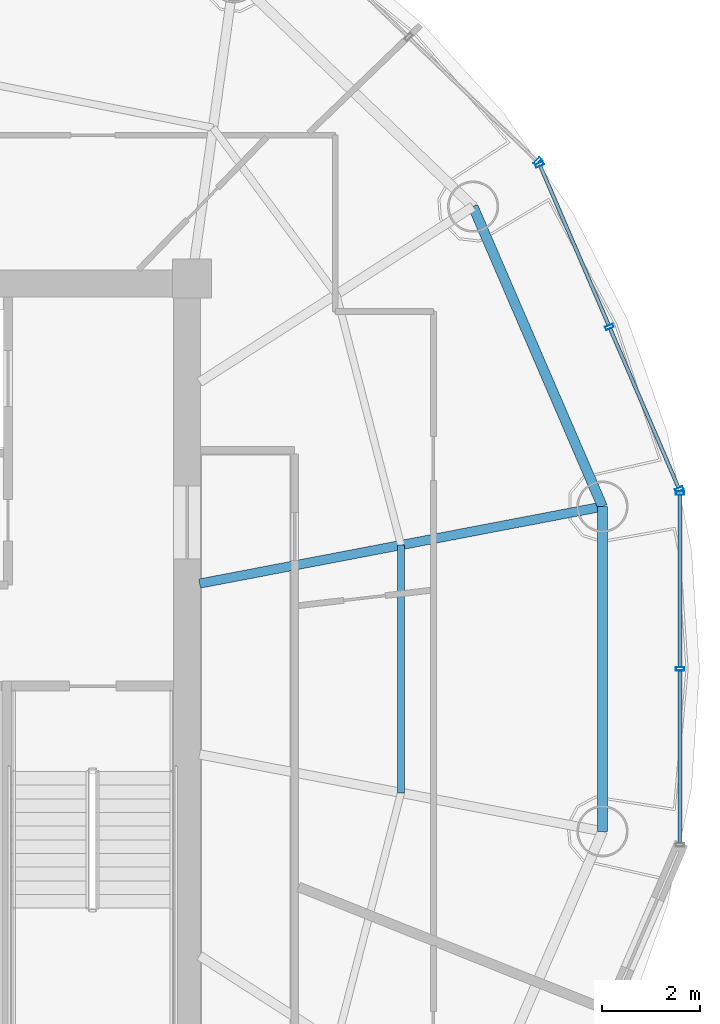
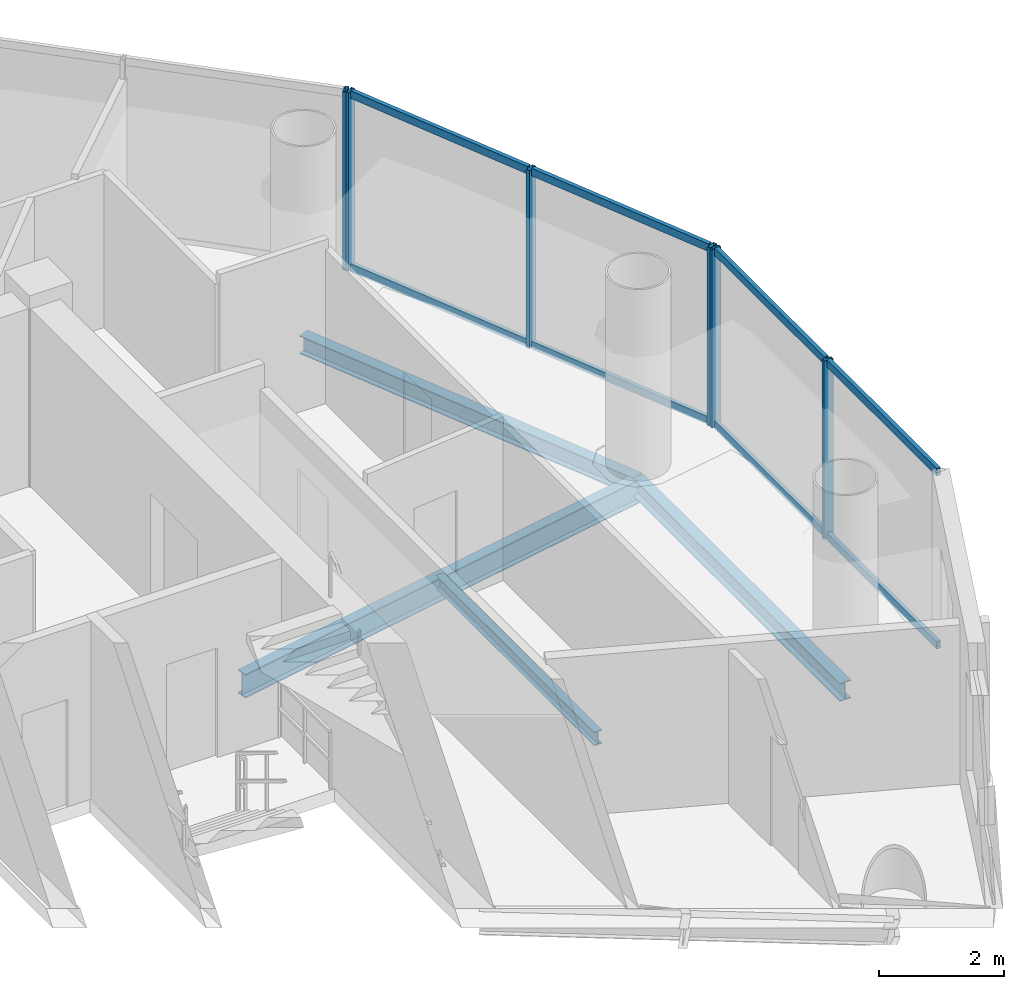
# One storey, part 12 of 24: 14 members, 4 beams, 3 elements without a shape of their own.
"""IFC4 building model written with IfcOpenShell, lengths in metres."""

from ifc_helpers import new_model, si_unit, direction, frame, origin, origin_2d, place, context, subcontext, project, spatial, hollow_rectangle, i_section, extrude, source, transform, mapped, material, material_profile, profile_set, type_object, element, aggregate, save


model = new_model("IFC4")

# Units and contexts
model_context = context("Model", 3, precision=1e-05, world=origin(), true_north=direction((-0.2419218956, 0.970295726276)))
body_context = subcontext(model_context, "Body", "Model", "MODEL_VIEW")
ifc_project = project(units=[si_unit("LENGTHUNIT", "METRE"), si_unit("AREAUNIT", "SQUARE_METRE"), si_unit("VOLUMEUNIT", "CUBIC_METRE"), si_unit("PLANEANGLEUNIT", "RADIAN"), si_unit("MASSUNIT", "GRAM", prefix="KILO")], contexts=[model_context])

# Site, building, storey
site_placement = place(None, origin())
site = spatial("IfcSite", under=ifc_project, at=site_placement, CompositionType="ELEMENT")
building_placement = place(site_placement, origin())
building = spatial("IfcBuilding", under=site, at=building_placement, Name="Cobrevalo Terracotta Tower", CompositionType="ELEMENT")
storey_placement = place(building_placement, frame((0.0, 0.0, 278.199951171875)))
storey = spatial("IfcBuildingStorey", under=building, at=storey_placement, Name="L73", CompositionType="ELEMENT", Elevation=278.199951171875)

# Beams
ifc_material_1 = material(Name="Steel S355", Category="steel")
ifc_material_profile_1 = material_profile(ifc_material_1, i_section(OverallWidth=0.19091796875, OverallDepth=0.4599609375, WebThickness=0.010009765625, FlangeThickness=0.01611328125, at=origin_2d()), Name="W 460x82")
ifc_profile_set_1 = profile_set([ifc_material_profile_1], Name="Steel S355")
beam_type_1 = type_object("IfcBeamType", Name="Structural Beam W 460x82 (Steel S355)", PredefinedType="BEAM", material=ifc_profile_set_1)
beam_1_placement = place(storey_placement, frame((55.408935546875, 30.126220703125, -0.489990234375), z_axis=(-0.982234917636, -0.187655446433, 0.0), x_axis=(0.187655446433, -0.982234917636, 0.0)))
element("IfcBeam", 1, at=beam_1_placement, inside=storey, type_object=beam_type_1, Name="L73 radial floor girder 01", PredefinedType="BEAM", context=body_context, shape_type="SweptSolid", body=[
    extrude(i_section(OverallWidth=0.19091796875, OverallDepth=0.4599609375, WebThickness=0.010009765625, FlangeThickness=0.01611328125, at=origin_2d()), origin(), (0.0, 0.0, 1.0), 8.403076171875),
])
ifc_material_profile_2 = material_profile(ifc_material_1, i_section(OverallWidth=0.14794921875, OverallDepth=0.26611328125, WebThickness=0.007568359375, FlangeThickness=0.012939453125, at=origin_2d()), Name="W 250x44.8")
ifc_profile_set_2 = profile_set([ifc_material_profile_2], Name="Steel S355")
beam_type_2 = type_object("IfcBeamType", Name="Structural Joist W 250x44.8 (Steel S355)", PredefinedType="JOIST", material=ifc_profile_set_2)
beam_2_placement = place(storey_placement, frame((51.281982421875, 24.26220703125, -0.39306640625), z_axis=(0.0, 1.0, 0.0), x_axis=(-1.0, 0.0, 0.0)))
element("IfcBeam", 2, at=beam_2_placement, inside=storey, type_object=beam_type_2, Name="L73 circumferential secondary floor joist 16", PredefinedType="JOIST", context=body_context, shape_type="SweptSolid", body=[
    extrude(i_section(OverallWidth=0.14794921875, OverallDepth=0.26611328125, WebThickness=0.007568359375, FlangeThickness=0.012939453125, at=origin_2d()), origin(), (0.0, 0.0, 1.0), 5.075439453125),
])
ifc_material_profile_3 = material_profile(ifc_material_1, i_section(OverallWidth=0.205078125, OverallDepth=0.35400390625, WebThickness=0.009521484375, FlangeThickness=0.016845703125, at=origin_2d()), Name="W 360x79")
ifc_profile_set_3 = profile_set([ifc_material_profile_3], Name="Steel S355")
beam_type_3 = type_object("IfcBeamType", Name="Structural Spandrel W 360x79 (Steel S355)", PredefinedType="SPANDREL", material=ifc_profile_set_3)
beam_3_placement = place(storey_placement, frame((55.408935546875, 30.126220703125, -0.43701171875), z_axis=(-0.395974127655, 0.918261667624, 0.0), x_axis=(-0.918261667624, -0.395974127655, 0.0)))
element("IfcBeam", 3, at=beam_3_placement, inside=storey, type_object=beam_type_3, Name="L73 perimeter ring spandrel 01", PredefinedType="SPANDREL", context=body_context, shape_type="SweptSolid", body=[
    extrude(i_section(OverallWidth=0.205078125, OverallDepth=0.35400390625, WebThickness=0.009521484375, FlangeThickness=0.016845703125, at=origin_2d()), origin(), (0.0, 0.0, 1.0), 6.693359375),
])
beam_4_placement = place(storey_placement, frame((55.408935546875, 23.4736328125, -0.43701171875), z_axis=(0.0, 1.0, 0.0), x_axis=(-1.0, 0.0, 0.0)))
element("IfcBeam", 4, at=beam_4_placement, inside=storey, type_object=beam_type_3, Name="L73 perimeter ring spandrel 16", PredefinedType="SPANDREL", context=body_context, shape_type="SweptSolid", body=[
    extrude(i_section(OverallWidth=0.205078125, OverallDepth=0.35400390625, WebThickness=0.009521484375, FlangeThickness=0.016845703125, at=origin_2d()), origin(), (0.0, 0.0, 1.0), 6.652587890625),
])

# Curtain wall, members
ifc_material_2 = material(Name="Anodized aluminium", Category="aluminium")
curtain_wall_type = type_object("IfcCurtainWallType", Name="Upper-tower triple-glazed penthouse curtain wall CW-U3", PredefinedType="NOTDEFINED", material=ifc_material_2)
curtain_wall_1_placement = place(storey_placement, origin())
curtain_wall_1 = element("IfcCurtainWall", 5, at=curtain_wall_1_placement, inside=storey, type_object=curtain_wall_type, Name="L73 curtain wall CW-L73-S01", PredefinedType="NOTDEFINED")
ifc_material_profile_4 = material_profile(ifc_material_2, hollow_rectangle(XDim=0.070068359375, YDim=0.169921875, WallThickness=0.00439453125, at=origin_2d()), Name="CWM 70x170")
ifc_profile_set_4 = profile_set([ifc_material_profile_4], Name="Anodized aluminium")
member_type_1 = type_object("IfcMemberType", Name="Upper tower unitised mullion 70x170", PredefinedType="MULLION", material=ifc_profile_set_4)
shared_shape_1 = source(origin(), body_context, "Body", "SweptSolid", [
    extrude(hollow_rectangle(XDim=0.070068359375, YDim=0.169921875, WallThickness=0.00439453125, at=origin_2d()), origin(), (0.0, 0.0, 1.0), 3.489990234375),
])
member_1_placement = place(storey_placement, frame((56.98193359375, 30.47900390625, 0.0), z_axis=(0.0, 0.0, 1.0), x_axis=(-0.39482403454, 0.91875675875, 0.0)))
member_1 = element("IfcMember", 6, at=member_1_placement, type_object=member_type_1, Name="CW-L73-S01 vertical mullion 01", PredefinedType="MULLION", context=body_context, shape_type="MappedRepresentation", body=[
    mapped(shared_shape_1, transform((0.0, 0.0, 0.0), scale=1.0)),
])
member_2_placement = place(storey_placement, frame((55.5517578125, 33.807373046875, 0.0), z_axis=(0.0, 0.0, 1.0), x_axis=(-0.39482403454, 0.91875675875, 0.0)))
member_2 = element("IfcMember", 7, at=member_2_placement, type_object=member_type_1, Name="CW-L73-S01 vertical mullion 02", PredefinedType="MULLION", context=body_context, shape_type="MappedRepresentation", body=[
    mapped(shared_shape_1, transform((0.0, 0.0, 0.0), scale=1.0)),
])
member_3_placement = place(storey_placement, frame((54.121337890625, 37.1357421875, 0.0), z_axis=(0.0, 0.0, 1.0), x_axis=(-0.39482403454, 0.91875675875, 0.0)))
member_3 = element("IfcMember", 8, at=member_3_placement, type_object=member_type_1, Name="CW-L73-S01 vertical mullion 03", PredefinedType="MULLION", context=body_context, shape_type="MappedRepresentation", body=[
    mapped(shared_shape_1, transform((0.0, 0.0, 0.0), scale=1.0)),
])

# Curtain wall, member
curtain_wall_2_placement = place(storey_placement, origin())
curtain_wall_2 = element("IfcCurtainWall", 9, at=curtain_wall_2_placement, inside=storey, type_object=curtain_wall_type, Name="L73 curtain wall CW-L73-S02", PredefinedType="NOTDEFINED")
member_4_placement = place(storey_placement, frame((54.07666015625, 37.2001953125, 0.0), z_axis=(0.0, 0.0, 1.0), x_axis=(-0.71999418085, 0.69398010025, 0.0)))
member_4 = element("IfcMember", 10, at=member_4_placement, type_object=member_type_1, Name="CW-L73-S02 vertical mullion 01", PredefinedType="MULLION", context=body_context, shape_type="MappedRepresentation", body=[
    mapped(shared_shape_1, transform((0.0, 0.0, 0.0), scale=1.0)),
])
aggregate(curtain_wall_2, [member_4])

# Curtain wall, members
curtain_wall_3_placement = place(storey_placement, origin())
curtain_wall_3 = element("IfcCurtainWall", 11, at=curtain_wall_3_placement, inside=storey, type_object=curtain_wall_type, Name="L73 curtain wall CW-L73-S16", PredefinedType="NOTDEFINED")
member_5_placement = place(storey_placement, frame((56.997802734375, 26.800048828125, 0.0), z_axis=(0.0, 0.0, 1.0), x_axis=(0.0, 1.0, 0.0)))
member_5 = element("IfcMember", 12, at=member_5_placement, type_object=member_type_1, Name="CW-L73-S16 vertical mullion 02", PredefinedType="MULLION", context=body_context, shape_type="MappedRepresentation", body=[
    mapped(shared_shape_1, transform((0.0, 0.0, 0.0), scale=1.0)),
])
member_6_placement = place(storey_placement, frame((56.997802734375, 30.40234375, 0.0), z_axis=(0.0, 0.0, 1.0), x_axis=(0.0, 1.0, 0.0)))
member_6 = element("IfcMember", 13, at=member_6_placement, type_object=member_type_1, Name="CW-L73-S16 vertical mullion 03", PredefinedType="MULLION", context=body_context, shape_type="MappedRepresentation", body=[
    mapped(shared_shape_1, transform((0.0, 0.0, 0.0), scale=1.0)),
])

# Member
ifc_material_profile_5 = material_profile(ifc_material_2, hollow_rectangle(XDim=0.074951171875, YDim=0.14990234375, WallThickness=0.00439453125, at=origin_2d()), Name="CWT 75x150")
ifc_profile_set_5 = profile_set([ifc_material_profile_5], Name="Anodized aluminium")
member_type_2 = type_object("IfcMemberType", Name="Tower unitised aluminium transom 75x150", PredefinedType="USERDEFINED", material=ifc_profile_set_5)
shared_shape_2 = source(origin(), body_context, "Body", "SweptSolid", [
    extrude(hollow_rectangle(XDim=0.074951171875, YDim=0.14990234375, WallThickness=0.00439453125, at=origin_2d()), origin(), (0.0, 0.0, 1.0), 3.54248046875),
])
member_7_placement = place(storey_placement, frame((55.535888671875, 33.84423828125, 0.050048828125), z_axis=(-0.394834055841, 0.918752452159, 0.0), x_axis=(-0.918752452159, -0.394834055841, 0.0)))
member_7 = element("IfcMember", 14, at=member_7_placement, type_object=member_type_2, Name="CW-L73-S01 transom B02-T1", ObjectType="TRANSOM", PredefinedType="USERDEFINED", context=body_context, shape_type="MappedRepresentation", body=[
    mapped(shared_shape_2, transform((0.0, 0.0, 0.0), scale=1.0)),
])

member_8_placement = place(storey_placement, frame((55.535888671875, 33.84423828125, 3.43994140625), z_axis=(-0.394834055841, 0.918752452159, 0.0), x_axis=(-0.918752452159, -0.394834055841, 0.0)))
member_8 = element("IfcMember", 15, at=member_8_placement, type_object=member_type_2, Name="CW-L73-S01 transom B02-T2", ObjectType="TRANSOM", PredefinedType="USERDEFINED", context=body_context, shape_type="MappedRepresentation", body=[
    mapped(shared_shape_2, transform((0.0, 0.0, 0.0), scale=1.0)),
])

shared_shape_3 = source(origin(), body_context, "Body", "SweptSolid", [
    extrude(hollow_rectangle(XDim=0.074951171875, YDim=0.14990234375, WallThickness=0.00439453125, at=origin_2d()), origin(), (0.0, 0.0, 1.0), 3.542724609375),
])
member_9_placement = place(storey_placement, frame((56.96630859375, 30.515869140625, 0.050048828125), z_axis=(-0.394867226589, 0.918738196314, 0.0), x_axis=(-0.918738196314, -0.394867226589, 0.0)))
member_9 = element("IfcMember", 16, at=member_9_placement, type_object=member_type_2, Name="CW-L73-S01 transom B01-T1", ObjectType="TRANSOM", PredefinedType="USERDEFINED", context=body_context, shape_type="MappedRepresentation", body=[
    mapped(shared_shape_3, transform((0.0, 0.0, 0.0), scale=1.0)),
])

member_10_placement = place(storey_placement, frame((56.96630859375, 30.515869140625, 3.43994140625), z_axis=(-0.394867226589, 0.918738196314, 0.0), x_axis=(-0.918738196314, -0.394867226589, 0.0)))
member_10 = element("IfcMember", 17, at=member_10_placement, type_object=member_type_2, Name="CW-L73-S01 transom B01-T2", ObjectType="TRANSOM", PredefinedType="USERDEFINED", context=body_context, shape_type="MappedRepresentation", body=[
    mapped(shared_shape_3, transform((0.0, 0.0, 0.0), scale=1.0)),
])

aggregate(curtain_wall_1, [member_1, member_2, member_3, member_9, member_10, member_7, member_8])

shared_shape_4 = source(origin(), body_context, "Body", "SweptSolid", [
    extrude(hollow_rectangle(XDim=0.074951171875, YDim=0.14990234375, WallThickness=0.00439453125, at=origin_2d()), origin(), (0.0, 0.0, 1.0), 3.522216796875),
])
member_11_placement = place(storey_placement, frame((56.997802734375, 26.840087890625, 0.050048828125), z_axis=(0.0, 1.0, 0.0), x_axis=(-1.0, 0.0, 0.0)))
member_11 = element("IfcMember", 18, at=member_11_placement, type_object=member_type_2, Name="CW-L73-S16 transom B02-T1", ObjectType="TRANSOM", PredefinedType="USERDEFINED", context=body_context, shape_type="MappedRepresentation", body=[
    mapped(shared_shape_4, transform((0.0, 0.0, 0.0), scale=1.0)),
])

member_12_placement = place(storey_placement, frame((56.997802734375, 26.840087890625, 3.43994140625), z_axis=(0.0, 1.0, 0.0), x_axis=(-1.0, 0.0, 0.0)))
member_12 = element("IfcMember", 19, at=member_12_placement, type_object=member_type_2, Name="CW-L73-S16 transom B02-T2", ObjectType="TRANSOM", PredefinedType="USERDEFINED", context=body_context, shape_type="MappedRepresentation", body=[
    mapped(shared_shape_4, transform((0.0, 0.0, 0.0), scale=1.0)),
])

shared_shape_5 = source(origin(), body_context, "Body", "SweptSolid", [
    extrude(hollow_rectangle(XDim=0.074951171875, YDim=0.14990234375, WallThickness=0.00439453125, at=origin_2d()), origin(), (0.0, 0.0, 1.0), 3.5224609375),
])
member_13_placement = place(storey_placement, frame((56.997802734375, 23.237548828125, 0.050048828125), z_axis=(0.0, 1.0, 0.0), x_axis=(-1.0, 0.0, 0.0)))
member_13 = element("IfcMember", 20, at=member_13_placement, type_object=member_type_2, Name="CW-L73-S16 transom B01-T1", ObjectType="TRANSOM", PredefinedType="USERDEFINED", context=body_context, shape_type="MappedRepresentation", body=[
    mapped(shared_shape_5, transform((0.0, 0.0, 0.0), scale=1.0)),
])

member_14_placement = place(storey_placement, frame((56.997802734375, 23.237548828125, 3.43994140625), z_axis=(0.0, 1.0, 0.0), x_axis=(-1.0, 0.0, 0.0)))
member_14 = element("IfcMember", 21, at=member_14_placement, type_object=member_type_2, Name="CW-L73-S16 transom B01-T2", ObjectType="TRANSOM", PredefinedType="USERDEFINED", context=body_context, shape_type="MappedRepresentation", body=[
    mapped(shared_shape_5, transform((0.0, 0.0, 0.0), scale=1.0)),
])

aggregate(curtain_wall_3, [member_5, member_6, member_13, member_14, member_11, member_12])

save(model, "model.ifc")
